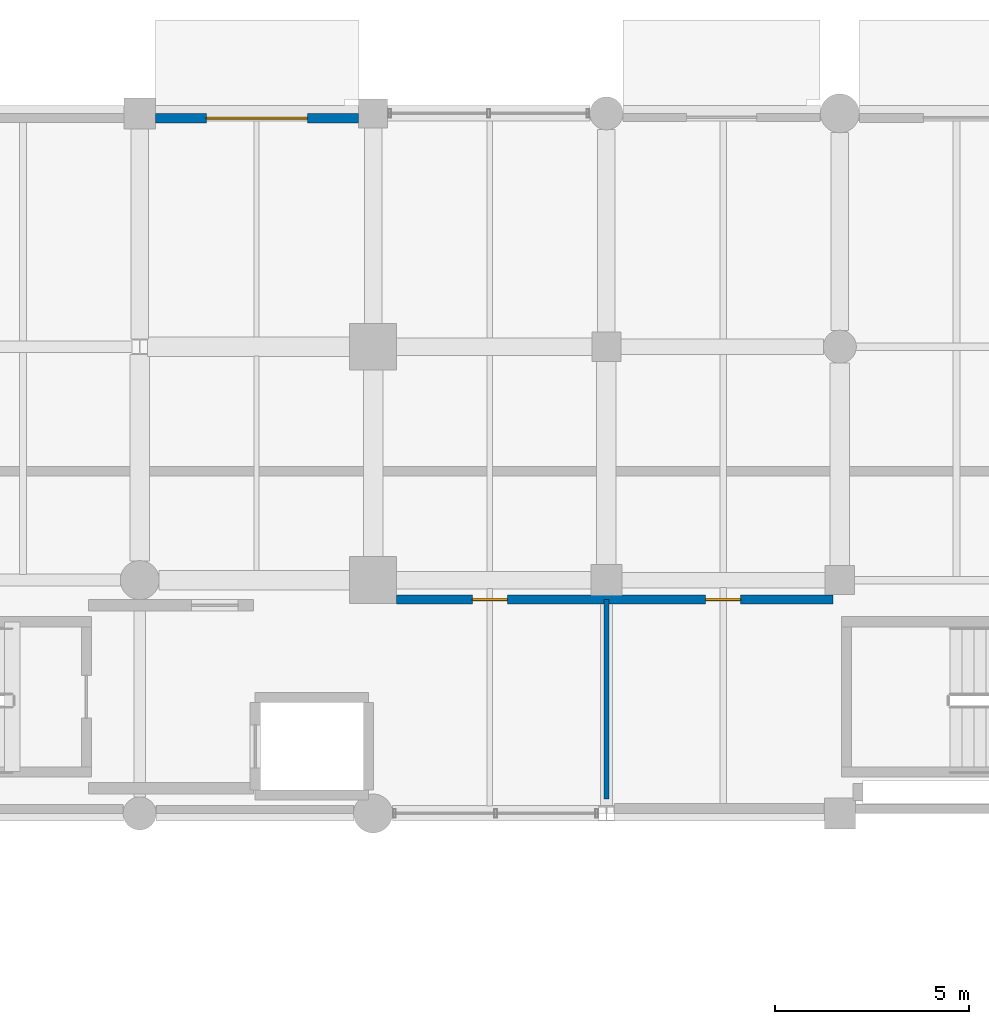
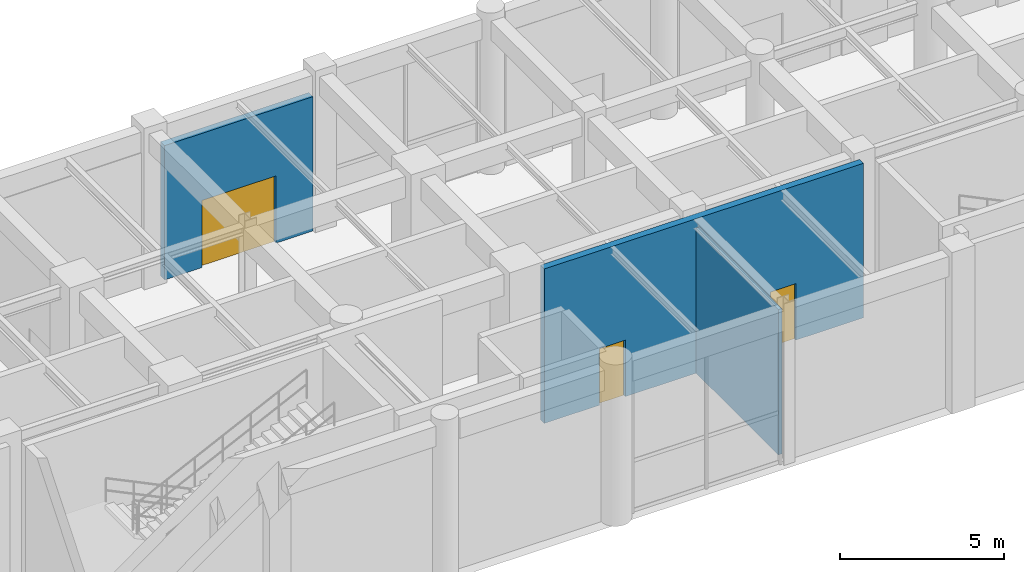
# One storey, part 86 of 106: 3 doors, 3 walls, 3 openings.
"""IFC4 building model written with IfcOpenShell, lengths in metres."""

import ifcopenshell
import ifcopenshell.guid

model = None  # the IFC model being written
_history = None  # IfcOwnerHistory: only IFC2X3 demands one
_inside = {}  # id of a spatial element -> (the spatial element, [elements in it])
_under = {}  # id of a project, library or spatial element -> (it, [spatial elements below it])
_declared = {}  # id of a project -> (the project, [libraries it declares])
_typed = {}  # id of a type object -> (the type object, [elements of that type])
_made_of = {}  # id of a material, layer set ... -> (it, [elements and type objects made of it])


def new_model(schema):
    """Start an empty IFC model of exactly this schema.

    Asked for "IFC4X3", IfcOpenShell would pick the latest addendum, in which some entities
    have other attributes; the version numbers below select the first issue.
    IFC2X3 requires an IfcOwnerHistory on every rooted entity: one is made here for all.
    """
    global model, _history
    if schema == "IFC4X3":
        model = ifcopenshell.file(schema_version=(4, 3, 0, 0))
    else:
        model = ifcopenshell.file(schema=schema)
    _inside.clear()
    _under.clear()
    _declared.clear()
    _typed.clear()
    _made_of.clear()
    _history = None
    if model.schema == "IFC2X3":
        org = make("IfcOrganization", Name="unknown")
        user = make(
            "IfcPersonAndOrganization",
            ThePerson=make("IfcPerson", FamilyName="unknown"),
            TheOrganization=org,
        )
        app = make(
            "IfcApplication",
            ApplicationDeveloper=org,
            Version="unknown",
            ApplicationFullName="unknown",
            ApplicationIdentifier="unknown",
        )
        _history = make(
            "IfcOwnerHistory",
            OwningUser=user,
            OwningApplication=app,
            ChangeAction="ADDED",
            CreationDate=0,
        )
    return model


def make(cls, **values):
    """One entity of the class cls with the attributes given. An attribute that is None is left unset."""
    return model.create_entity(
        cls, **{name: value for name, value in values.items() if value is not None}
    )


def rooted(cls, **values):
    """An entity with a GlobalId (a new one), such as an element, a storey or a relation."""
    return make(cls, GlobalId=ifcopenshell.guid.new(), OwnerHistory=_history, **values)


def si_unit(unit_type, name, prefix=None):
    """IfcSIUnit, for example si_unit("LENGTHUNIT", "METRE", prefix="MILLI")."""
    return make("IfcSIUnit", UnitType=unit_type, Prefix=prefix, Name=name)


def assignment(units):
    """IfcUnitAssignment: the units of a project."""
    return None if units is None else make("IfcUnitAssignment", Units=units)


def point(xyz):
    """IfcCartesianPoint."""
    return None if xyz is None else make("IfcCartesianPoint", Coordinates=xyz)


def direction(xyz):
    """IfcDirection."""
    return None if xyz is None else make("IfcDirection", DirectionRatios=xyz)


def frame(location, z_axis=None, x_axis=None):
    """IfcAxis2Placement3D, a coordinate frame: its origin and axes. An axis left out is left unset."""
    return make(
        "IfcAxis2Placement3D",
        Location=point(location),
        Axis=direction(z_axis),
        RefDirection=direction(x_axis),
    )


def frame_2d(location, x_axis=None):
    """IfcAxis2Placement2D, a coordinate frame in the plane: its origin and x axis."""
    return make(
        "IfcAxis2Placement2D", Location=point(location), RefDirection=direction(x_axis)
    )


def origin():
    """The frame at (0, 0, 0) with its axes left unset."""
    return frame((0.0, 0.0, 0.0))


def place(relative_to, where):
    """IfcLocalPlacement: puts the frame where relative to a parent placement (None: the world)."""
    return make(
        "IfcLocalPlacement", PlacementRelTo=relative_to, RelativePlacement=where
    )


def context(
    kind, dimensions, precision=None, world=None, true_north=None, identifier=None
):
    """IfcGeometricRepresentationContext, for example the 3D "Model" context."""
    return make(
        "IfcGeometricRepresentationContext",
        ContextIdentifier=identifier,
        ContextType=kind,
        CoordinateSpaceDimension=dimensions,
        Precision=precision,
        WorldCoordinateSystem=world,
        TrueNorth=true_north,
    )


def subcontext(parent, identifier, kind, view, scale=None):
    """IfcGeometricRepresentationSubContext, for example "Body" below "Model"."""
    return make(
        "IfcGeometricRepresentationSubContext",
        ContextIdentifier=identifier,
        ContextType=kind,
        ParentContext=parent,
        TargetScale=scale,
        TargetView=view,
    )


def project(units=None, contexts=None):
    """IfcProject with its units and contexts."""
    return rooted(
        "IfcProject",
        Name="project",
        RepresentationContexts=contexts,
        UnitsInContext=assignment(units),
    )


def spatial(cls, under=None, at=None, **own):
    """A site, building, storey or space (cls), placed at a placement, below another one or the project."""
    s = rooted(cls, ObjectPlacement=at, **own)
    if under is not None:
        _under.setdefault(under.id(), (under, []))[1].append(s)
    return s


def profile(cls, at=None, kind="AREA", **sizes):
    """A parametric profile (cls). Its sizes go by their IFC names, for example OverallWidth=200.0."""
    return make(cls, ProfileType=kind, Position=at, **sizes)


def rectangle(**sizes):
    """IfcRectangleProfileDef."""
    return profile("IfcRectangleProfileDef", **sizes)


def extrude(swept, where, along, depth):
    """IfcExtrudedAreaSolid: the profile swept, set in the frame where, extruded along a direction by depth."""
    return make(
        "IfcExtrudedAreaSolid",
        SweptArea=swept,
        Position=where,
        ExtrudedDirection=direction(along),
        Depth=depth,
    )


def shape(context_of_items, identifier, shape_type, items):
    """IfcShapeRepresentation: the items that make up one representation, for example the "Body"."""
    return make(
        "IfcShapeRepresentation",
        ContextOfItems=context_of_items,
        RepresentationIdentifier=identifier,
        RepresentationType=shape_type,
        Items=items,
    )


def material(Name=None, Category=None):
    """IfcMaterial."""
    return make("IfcMaterial", Name=Name, Category=Category)


def layer(
    of_material, thickness, ventilated=None, Name=None, Category=None, Priority=None
):
    """IfcMaterialLayer: one layer of a wall or slab, of a material (None: an air gap)."""
    return make(
        "IfcMaterialLayer",
        Material=of_material,
        LayerThickness=thickness,
        IsVentilated=ventilated,
        Name=Name,
        Category=Category,
        Priority=Priority,
    )


def layer_set(layers, Name=None):
    """IfcMaterialLayerSet."""
    return make("IfcMaterialLayerSet", MaterialLayers=layers, LayerSetName=Name)


def made_of(thing, what):
    """Note that an element or type object is made of a material, layer set ...; save() writes the relation."""
    if what is not None:
        _made_of.setdefault(what.id(), (what, []))[1].append(thing)
    return thing


def type_object(cls, material=None, **own):
    """A type object (cls), such as IfcWallType, which elements share."""
    return made_of(rooted(cls, **own), material)


def element(
    cls,
    number,
    at=None,
    inside=None,
    cuts=None,
    type_object=None,
    material=None,
    context=None,
    identifier="Body",
    shape_type=None,
    held_by="IfcProductDefinitionShape",
    body=None,
    shapes=None,
    **own,
):
    """One element of the class cls, such as IfcWall. Its Tag is "e" and its number.

    at: its placement. inside: the storey or other place that contains it. cuts: it is an
    opening in that element (IfcRelVoidsElement). A single representation is given by context,
    identifier, shape_type and body (its items); several are given by shapes. held_by: the class
    of the entity that holds the representations. save() writes the other relations.
    """
    e = rooted(cls, Tag="e%d" % number, ObjectPlacement=at, **own)
    if body is not None:
        shapes = [shape(context, identifier, shape_type, body)]
    if shapes is not None:
        e.Representation = make(held_by, Representations=shapes)
    if inside is not None:
        _inside.setdefault(inside.id(), (inside, []))[1].append(e)
    if cuts is not None:
        rooted(
            "IfcRelVoidsElement", RelatingBuildingElement=cuts, RelatedOpeningElement=e
        )
    if type_object is not None:
        _typed.setdefault(type_object.id(), (type_object, []))[1].append(e)
    return made_of(e, material)


def fill(opening, filler):
    """IfcRelFillsElement: the door or window that sits in an opening."""
    return rooted(
        "IfcRelFillsElement",
        RelatingOpeningElement=opening,
        RelatedBuildingElement=filler,
    )


def aggregate(whole, parts):
    """IfcRelAggregates: a whole, such as a stair, and the parts it consists of."""
    return rooted("IfcRelAggregates", RelatingObject=whole, RelatedObjects=parts)


def save(model, path):
    """Write the relations noted so far, then the file.

    IfcRelAggregates (storeys below a building ...), IfcRelContainedInSpatialStructure (elements
    in a storey), IfcRelDefinesByType, IfcRelAssociatesMaterial and IfcRelDeclares: one each for
    every whole, place, type object, material and project.
    """
    for whole, parts in _under.values():
        aggregate(whole, parts)
    for where, things in _inside.values():
        rooted(
            "IfcRelContainedInSpatialStructure",
            RelatedElements=things,
            RelatingStructure=where,
        )
    for kind, things in _typed.values():
        rooted("IfcRelDefinesByType", RelatedObjects=things, RelatingType=kind)
    for what, things in _made_of.values():
        rooted("IfcRelAssociatesMaterial", RelatedObjects=things, RelatingMaterial=what)
    for by, libraries in _declared.values():
        rooted("IfcRelDeclares", RelatingContext=by, RelatedDefinitions=libraries)
    model.write(path)


model = new_model("IFC4")

# Units and contexts
model_context = context("Model", 3, precision=1e-05, world=origin(), true_north=direction((0.0, 1.0)))
body_context = subcontext(model_context, "Body", "Model", "MODEL_VIEW")
ifc_project = project(units=[si_unit("LENGTHUNIT", "METRE"), si_unit("AREAUNIT", "SQUARE_METRE"), si_unit("VOLUMEUNIT", "CUBIC_METRE"), si_unit("PLANEANGLEUNIT", "RADIAN"), si_unit("MASSUNIT", "GRAM", prefix="KILO"), si_unit("THERMODYNAMICTEMPERATUREUNIT", "KELVIN"), si_unit("POWERUNIT", "WATT")], contexts=[model_context])

# Site, building, storey
site_placement = place(None, origin())
site = spatial("IfcSite", under=ifc_project, at=site_placement, CompositionType="ELEMENT")
building_placement = place(site_placement, origin())
building = spatial("IfcBuilding", under=site, at=building_placement, Name="Phaisarnlok Congress Hotel", CompositionType="ELEMENT")
storey_placement = place(building_placement, origin())
storey = spatial("IfcBuildingStorey", under=building, at=storey_placement, Name="L00", CompositionType="ELEMENT", Elevation=0.0)

# Wall, opening, door
ifc_material_1 = material(Name="Concrete C40/50", Category="concrete")
ifc_layer_1 = layer(ifc_material_1, 0.25, Name="Concrete C40/50")
ifc_layer_set_1 = layer_set([ifc_layer_1], Name="Concrete C40/50")
wall_type_1 = type_object("IfcWallType", Name="WL-EXT-250", PredefinedType="SOLIDWALL", material=ifc_layer_set_1)
wall_1_placement = place(storey_placement, frame((119.6201171875, 125.875, 0.0), z_axis=(0.0, 0.0, 1.0), x_axis=(-1.0, 0.0, 0.0)))
wall_1 = element("IfcWall", 1, at=wall_1_placement, inside=storey, type_object=wall_type_1, Name="Exterior wall EW-05 (L00)", PredefinedType="SOLIDWALL", context=body_context, shape_type="SweptSolid", body=[
    extrude(rectangle(XDim=5.215087890625, YDim=0.25, at=frame_2d((2.607421875, 0.0))), origin(), (0.0, 0.0, 1.0), 4.989990234375),
])
opening_1_placement = place(wall_1_placement, frame((1.30810546875, 0.0, 0.0)))
opening_1 = element("IfcOpeningElement", 2, at=opening_1_placement, cuts=wall_1, Name="Opening FE-38", PredefinedType="OPENING", context=body_context, shape_type="SweptSolid", body=[
    extrude(rectangle(XDim=2.60009765625, YDim=2.5, at=frame_2d((1.300048828125, 1.25))), frame((0.0, 0.135009765625, 0.0), z_axis=(0.0, -1.0, 0.0), x_axis=(1.0, 0.0, 0.0)), (0.0, 0.0, 1.0), 0.27001953125),
])
ifc_material_2 = material(Name="Powder-Coated Steel & Laminated Safety Glass", Category="steel")
door_type_1 = type_object("IfcDoorType", Name="DR-ENTR-2600", OperationType="DOUBLE_DOOR_SLIDING", PredefinedType="DOOR", material=ifc_material_2)
door_1_placement = place(opening_1_placement, frame((2.60009765625, 0.0, 0.0), z_axis=(0.0, 0.0, 1.0), x_axis=(-1.0, 0.0, 0.0)))
door_1 = element("IfcDoor", 3, at=door_1_placement, inside=storey, type_object=door_type_1, Name="Ground final exit door FE-38", OperationType="SINGLE_SWING_LEFT", OverallHeight=2.5, OverallWidth=2.60009765625, PredefinedType="DOOR", context=body_context, shape_type="SweptSolid", body=[
    extrude(rectangle(XDim=2.60009765625, YDim=2.5, at=frame_2d((1.300048828125, 1.25))), frame((0.0, 0.02490234375, 0.0), z_axis=(0.0, -1.0, 0.0), x_axis=(1.0, 0.0, 0.0)), (0.0, 0.0, 1.0), 0.050048828125),
])
fill(opening_1, door_1)

# Wall
ifc_material_3 = material(Name="Lightweight Metal-Stud Gypsum Partition", Category="gypsum")
ifc_layer_2 = layer(ifc_material_3, 0.1201171875, Name="Lightweight Metal-Stud Gypsum Partition")
ifc_layer_set_2 = layer_set([ifc_layer_2], Name="Lightweight Metal-Stud Gypsum Partition")
wall_type_2 = type_object("IfcWallType", Name="WL-INT-120", PredefinedType="PARTITIONING", material=ifc_layer_set_2)
wall_2_placement = place(storey_placement, frame((126.0, 108.3701171875, 0.0), z_axis=(0.0, 0.0, 1.0), x_axis=(0.0, 1.0, 0.0)))
element("IfcWall", 4, at=wall_2_placement, inside=storey, type_object=wall_type_2, Name="Interior partition wall IW-07 (L00)", PredefinedType="PARTITIONING", context=body_context, shape_type="SweptSolid", body=[
    extrude(rectangle(XDim=5.1298828125, YDim=0.1201171875, at=frame_2d((2.56494140625, 0.0))), origin(), (0.0, 0.0, 1.0), 5.39990234375),
])

# Wall, openings, doors
ifc_layer_3 = layer(ifc_material_1, 0.239990234375, Name="Concrete C40/50")
ifc_layer_set_3 = layer_set([ifc_layer_3], Name="Concrete C40/50")
wall_type_3 = type_object("IfcWallType", Name="WL-INT-240", PredefinedType="PARTITIONING", material=ifc_layer_set_3)
wall_3_placement = place(storey_placement, frame((120.60498046875, 113.5, 0.0), z_axis=(0.0, 0.0, 1.0), x_axis=(1.0, 0.0, 0.0)))
wall_3 = element("IfcWall", 5, at=wall_3_placement, inside=storey, type_object=wall_type_3, Name="Interior partition wall IW-01 (L00)", PredefinedType="PARTITIONING", context=body_context, shape_type="SweptSolid", body=[
    extrude(rectangle(XDim=11.215087890625, YDim=0.239990234375, at=frame_2d((5.607421875, 0.0))), origin(), (0.0, 0.0, 1.0), 5.739990234375),
])
opening_2_placement = place(wall_3_placement, frame((1.945068359375, 0.0, 0.0)))
opening_2 = element("IfcOpeningElement", 6, at=opening_2_placement, cuts=wall_3, Name="Opening D-0044", PredefinedType="OPENING", context=body_context, shape_type="SweptSolid", body=[
    extrude(rectangle(XDim=0.89990234375, YDim=2.10009765625, at=frame_2d((0.449951171875, 1.050048828125))), frame((0.0, 0.1298828125, 0.0), z_axis=(0.0, -1.0, 0.0), x_axis=(1.0, 0.0, 0.0)), (0.0, 0.0, 1.0), 0.260009765625),
])
opening_3_placement = place(wall_3_placement, frame((7.945068359375, 0.0, 0.0)))
opening_3 = element("IfcOpeningElement", 7, at=opening_3_placement, cuts=wall_3, Name="Opening D-0045", PredefinedType="OPENING", context=body_context, shape_type="SweptSolid", body=[
    extrude(rectangle(XDim=0.89990234375, YDim=2.10009765625, at=frame_2d((0.449951171875, 1.050048828125))), frame((0.0, 0.1298828125, 0.0), z_axis=(0.0, -1.0, 0.0), x_axis=(1.0, 0.0, 0.0)), (0.0, 0.0, 1.0), 0.260009765625),
])
ifc_material_4 = material(Name="Solid-Core Oak Veneer", Category="wood")
door_type_2 = type_object("IfcDoorType", Name="DR-INT-900", OperationType="NOTDEFINED", PredefinedType="DOOR", material=ifc_material_4)
door_2_placement = place(opening_2_placement, origin())
door_2 = element("IfcDoor", 8, at=door_2_placement, inside=storey, type_object=door_type_2, Name="Interior door D-0044 (L00)", OperationType="SINGLE_SWING_RIGHT", OverallHeight=2.10009765625, OverallWidth=0.89990234375, PredefinedType="DOOR", context=body_context, shape_type="SweptSolid", body=[
    extrude(rectangle(XDim=0.89990234375, YDim=2.10009765625, at=frame_2d((0.449951171875, 1.050048828125))), frame((0.0, 0.02490234375, 0.0), z_axis=(0.0, -1.0, 0.0), x_axis=(1.0, 0.0, 0.0)), (0.0, 0.0, 1.0), 0.050048828125),
])
fill(opening_2, door_2)
door_3_placement = place(opening_3_placement, origin())
door_3 = element("IfcDoor", 9, at=door_3_placement, inside=storey, type_object=door_type_2, Name="Interior door D-0045 (L00)", OperationType="SINGLE_SWING_LEFT", OverallHeight=2.10009765625, OverallWidth=0.89990234375, PredefinedType="DOOR", context=body_context, shape_type="SweptSolid", body=[
    extrude(rectangle(XDim=0.89990234375, YDim=2.10009765625, at=frame_2d((0.449951171875, 1.050048828125))), frame((0.0, 0.02490234375, 0.0), z_axis=(0.0, -1.0, 0.0), x_axis=(1.0, 0.0, 0.0)), (0.0, 0.0, 1.0), 0.050048828125),
])
fill(opening_3, door_3)

save(model, "model.ifc")
